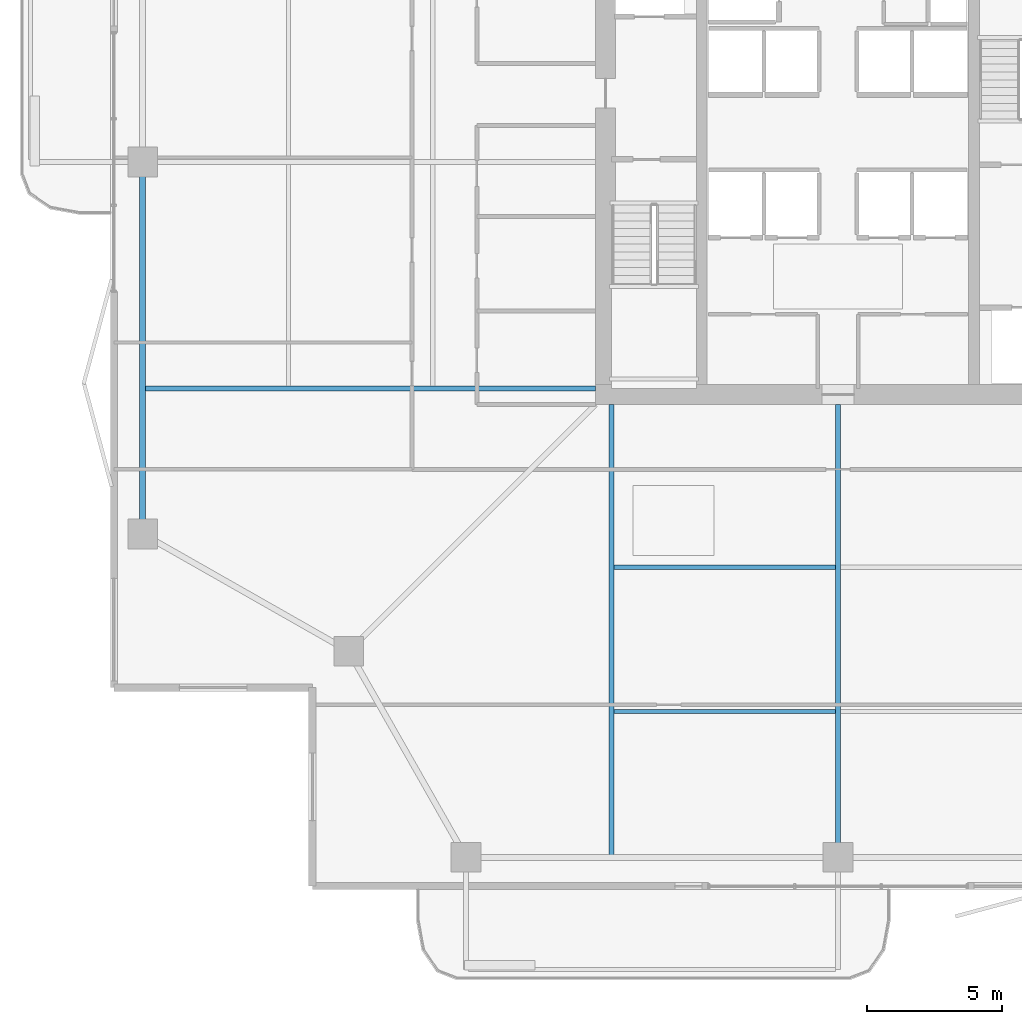
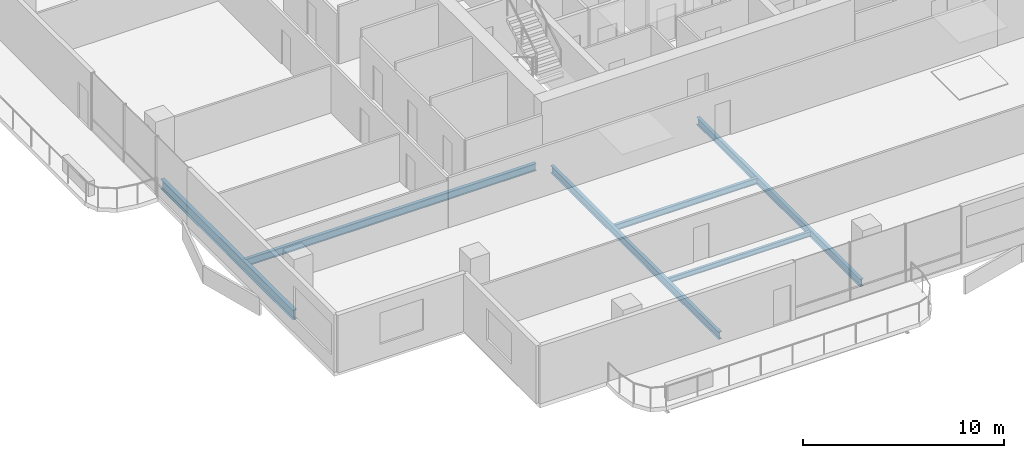
# One storey, part 3 of 24: 6 beams.
"""IFC4 building model written with IfcOpenShell, lengths in metres."""

from ifc_helpers import new_model, si_unit, direction, frame, origin, origin_2d, place, context, subcontext, project, spatial, i_section, extrude, material, material_profile, profile_set, type_object, element, save


model = new_model("IFC4")

# Units and contexts
model_context = context("Model", 3, precision=1e-05, world=origin(), true_north=direction((0.0, 1.0)))
body_context = subcontext(model_context, "Body", "Model", "MODEL_VIEW")
ifc_project = project(units=[si_unit("LENGTHUNIT", "METRE"), si_unit("AREAUNIT", "SQUARE_METRE"), si_unit("VOLUMEUNIT", "CUBIC_METRE"), si_unit("PLANEANGLEUNIT", "RADIAN"), si_unit("MASSUNIT", "GRAM", prefix="KILO")], contexts=[model_context])

# Site, building, storey
site_placement = place(None, origin())
site = spatial("IfcSite", under=ifc_project, at=site_placement, CompositionType="ELEMENT")
building_placement = place(site_placement, origin())
building = spatial("IfcBuilding", under=site, at=building_placement, Name="Belovzor Exchange Tower", CompositionType="ELEMENT")
storey_placement = place(building_placement, frame((0.0, 0.0, 207.449951171875)))
storey = spatial("IfcBuildingStorey", under=building, at=storey_placement, Name="L51", CompositionType="ELEMENT", Elevation=207.449951171875)

# Beams
ifc_material_1 = material(Name="Steel S355", Category="steel")
ifc_material_profile_1 = material_profile(ifc_material_1, i_section(OverallWidth=0.169921875, OverallDepth=0.360107421875, WebThickness=0.008056640625, FlangeThickness=0.0126953125, at=origin_2d()))
ifc_profile_set_1 = profile_set([ifc_material_profile_1], Name="Steel S355")
beam_type_1 = type_object("IfcBeamType", Name="Secondary Infill Floor Joist IPE 360", PredefinedType="BEAM", material=ifc_profile_set_1)
beam_1_placement = place(storey_placement, frame((20.4951171875, 13.77197265625, -0.429931640625), z_axis=(1.0, 0.0, 0.0), x_axis=(0.0, 1.0, 0.0)))
element("IfcBeam", 1, at=beam_1_placement, inside=storey, type_object=beam_type_1, Name="FJ-360 Secondary Infill Floor Joist IPE 360", PredefinedType="BEAM", context=body_context, shape_type="SweptSolid", body=[
    extrude(i_section(OverallWidth=0.169921875, OverallDepth=0.360107421875, WebThickness=0.008056640625, FlangeThickness=0.0126953125, at=origin_2d()), origin(), (0.0, 0.0, 1.0), 8.2099609375),
])
ifc_material_2 = material(Name="Steel S355", Category="steel")
ifc_material_profile_2 = material_profile(ifc_material_2, i_section(OverallWidth=0.14990234375, OverallDepth=0.300048828125, WebThickness=0.007080078125, FlangeThickness=0.0107421875, at=origin_2d()))
ifc_profile_set_2 = profile_set([ifc_material_profile_2], Name="Steel S355")
beam_type_2 = type_object("IfcBeamType", Name="Secondary Trim Floor Joist IPE 300", PredefinedType="BEAM", material=ifc_profile_set_2)
beam_2_placement = place(storey_placement, frame((20.4951171875, 8.4130859375, -0.39990234375), z_axis=(1.0, 0.0, 0.0), x_axis=(0.0, 1.0, 0.0)))
element("IfcBeam", 2, at=beam_2_placement, inside=storey, type_object=beam_type_2, Name="FJ-300 Secondary Trim Floor Joist IPE 300", PredefinedType="BEAM", context=body_context, shape_type="SweptSolid", body=[
    extrude(i_section(OverallWidth=0.14990234375, OverallDepth=0.300048828125, WebThickness=0.007080078125, FlangeThickness=0.0107421875, at=origin_2d()), origin(), (0.0, 0.0, 1.0), 8.2099609375),
])
ifc_material_3 = material(Name="Steel S355", Category="steel")
ifc_material_profile_3 = material_profile(ifc_material_3, i_section(OverallWidth=0.18994140625, OverallDepth=0.449951171875, WebThickness=0.009521484375, FlangeThickness=0.0146484375, at=origin_2d()))
ifc_profile_set_3 = profile_set([ifc_material_profile_3], Name="Steel S355")
beam_type_3 = type_object("IfcBeamType", Name="Zone 2-4 Radial Composite Floor Beam IPE 450", PredefinedType="BEAM", material=ifc_profile_set_3)
beam_3_placement = place(storey_placement, frame((20.39990234375, 19.800048828125, -0.474853515625), z_axis=(0.0, -1.0, 0.0), x_axis=(1.0, 0.0, 0.0)))
element("IfcBeam", 3, at=beam_3_placement, inside=storey, type_object=beam_type_3, Name="FB-450 Zone 2-4 Radial Composite Floor Beam IPE 450", PredefinedType="BEAM", context=body_context, shape_type="SweptSolid", body=[
    extrude(i_section(OverallWidth=0.18994140625, OverallDepth=0.449951171875, WebThickness=0.009521484375, FlangeThickness=0.0146484375, at=origin_2d()), origin(), (0.0, 0.0, 1.0), 16.7451171875),
])
beam_4_placement = place(storey_placement, frame((28.800048828125, 19.800048828125, -0.474853515625), z_axis=(0.0, -1.0, 0.0), x_axis=(1.0, 0.0, 0.0)))
element("IfcBeam", 4, at=beam_4_placement, inside=storey, type_object=beam_type_3, Name="FB-450 Zone 2-4 Radial Composite Floor Beam IPE 450", PredefinedType="BEAM", context=body_context, shape_type="SweptSolid", body=[
    extrude(i_section(OverallWidth=0.18994140625, OverallDepth=0.449951171875, WebThickness=0.009521484375, FlangeThickness=0.0146484375, at=origin_2d()), origin(), (0.0, 0.0, 1.0), 16.316162109375),
])
beam_5_placement = place(storey_placement, frame((19.800048828125, 20.39990234375, -0.474853515625), z_axis=(-1.0, 0.0, 0.0), x_axis=(0.0, -1.0, 0.0)))
element("IfcBeam", 5, at=beam_5_placement, inside=storey, type_object=beam_type_3, Name="FB-450 Zone 2-4 Radial Composite Floor Beam IPE 450", PredefinedType="BEAM", context=body_context, shape_type="SweptSolid", body=[
    extrude(i_section(OverallWidth=0.18994140625, OverallDepth=0.449951171875, WebThickness=0.009521484375, FlangeThickness=0.0146484375, at=origin_2d()), origin(), (0.0, 0.0, 1.0), 16.7451171875),
])
ifc_material_4 = material(Name="Steel S355", Category="steel")
ifc_material_profile_4 = material_profile(ifc_material_4, i_section(OverallWidth=0.219970703125, OverallDepth=0.60009765625, WebThickness=0.011962890625, FlangeThickness=0.01904296875, at=origin_2d()))
ifc_profile_set_4 = profile_set([ifc_material_profile_4], Name="Steel S355")
beam_type_4 = type_object("IfcBeamType", Name="Zone 4 Flare Primary Girder IPE 600", PredefinedType="BEAM", material=ifc_profile_set_4)
beam_6_placement = place(storey_placement, frame((3.0, 28.498046875, -0.550048828125), z_axis=(0.0, -1.0, 0.0), x_axis=(1.0, 0.0, 0.0)))
element("IfcBeam", 6, at=beam_6_placement, inside=storey, type_object=beam_type_4, Name="FG-Z4 Zone 4 Flare Primary Girder IPE 600", PredefinedType="BEAM", context=body_context, shape_type="SweptSolid", body=[
    extrude(i_section(OverallWidth=0.219970703125, OverallDepth=0.60009765625, WebThickness=0.011962890625, FlangeThickness=0.01904296875, at=origin_2d()), origin(), (0.0, 0.0, 1.0), 13.195068359375),
])

save(model, "model.ifc")
